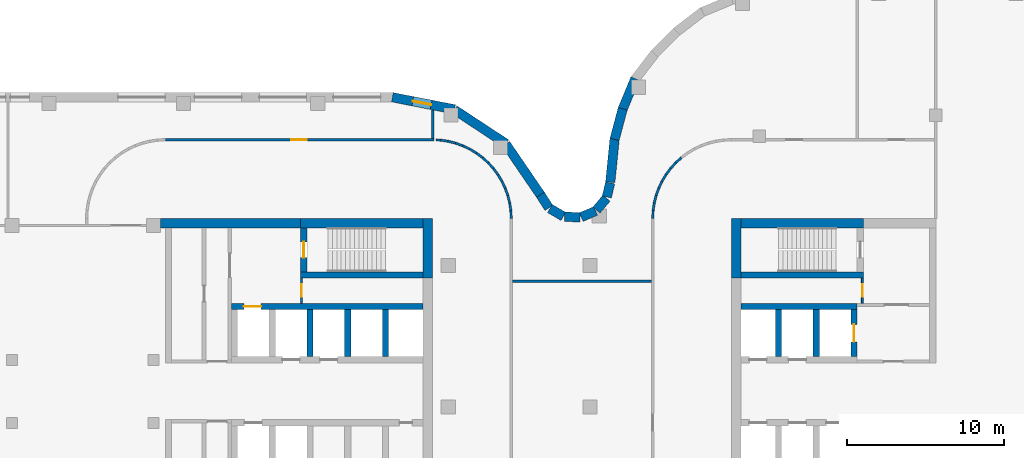
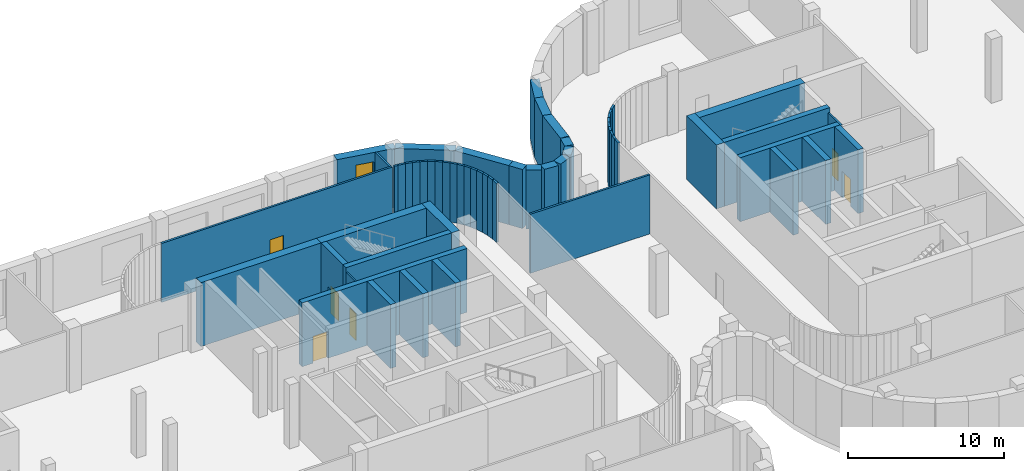
# One storey, part 12 of 18: 58 walls, 6 doors, 1 window, 7 openings.
"""IFC4 building model written with IfcOpenShell, lengths in metres."""

from ifc_helpers import new_model, si_unit, direction, frame, frame_2d, origin, place, context, subcontext, project, spatial, rectangle, extrude, material, layer, layer_set, type_object, element, fill, save


model = new_model("IFC4")

# Units and contexts
model_context = context("Model", 3, precision=1e-05, world=origin(), true_north=direction((0.0, 1.0)))
body_context = subcontext(model_context, "Body", "Model", "MODEL_VIEW")
ifc_project = project(units=[si_unit("LENGTHUNIT", "METRE"), si_unit("AREAUNIT", "SQUARE_METRE"), si_unit("VOLUMEUNIT", "CUBIC_METRE"), si_unit("PLANEANGLEUNIT", "RADIAN"), si_unit("MASSUNIT", "GRAM", prefix="KILO")], contexts=[model_context])

# Site, building, storey
site_placement = place(None, origin())
site = spatial("IfcSite", under=ifc_project, at=site_placement, CompositionType="ELEMENT")
building_placement = place(site_placement, origin())
building = spatial("IfcBuilding", under=site, at=building_placement, Name="Skarvind Civic Tower", CompositionType="ELEMENT")
storey_placement = place(building_placement, frame((0.0, 0.0, 22.5)))
storey = spatial("IfcBuildingStorey", under=building, at=storey_placement, Name="L04", CompositionType="ELEMENT", Elevation=22.5)

# Wall
ifc_material_1 = material(Name="Concrete C80", Category="concrete")
ifc_layer_1 = layer(ifc_material_1, 0.39990234375)
ifc_layer_set_1 = layer_set([ifc_layer_1], Name="Core wall 400 C80")
wall_type_1 = type_object("IfcWallType", Name="Core wall 400 C80", PredefinedType="SHEAR", material=ifc_layer_set_1)
wall_1_placement = place(storey_placement, frame((107.39990234375, 135.39990234375, 0.0), z_axis=(0.0, 0.0, 1.0), x_axis=(-1.0, 0.0, 0.0)))
element("IfcWall", 1, at=wall_1_placement, inside=storey, type_object=wall_type_1, Name="Core wall C1 south stair inner L04", PredefinedType="SHEAR", context=body_context, shape_type="SweptSolid", body=[
    extrude(rectangle(XDim=7.7998046875, YDim=0.39990234375, at=frame_2d((3.89990234375, 0.0))), origin(), (0.0, 0.0, 1.0), 5.0),
])

# Wall, opening, door
wall_2_placement = place(storey_placement, frame((99.800048828125, 138.39990234375, 0.0), z_axis=(0.0, 0.0, 1.0), x_axis=(0.0, -1.0, 0.0)))
wall_2 = element("IfcWall", 2, at=wall_2_placement, inside=storey, type_object=wall_type_1, Name="Core wall C1 south stair end L04", PredefinedType="SHEAR", context=body_context, shape_type="SweptSolid", body=[
    extrude(rectangle(XDim=2.7998046875, YDim=0.39990234375, at=frame_2d((1.39990234375, 0.0))), origin(), (0.0, 0.0, 1.0), 5.0),
])
opening_1_placement = place(wall_2_placement, frame((0.89990234375, 0.0, 0.0)))
opening_1 = element("IfcOpeningElement", 3, at=opening_1_placement, cuts=wall_2, Name="Opening D-L04-C1-13", PredefinedType="OPENING", context=body_context, shape_type="SweptSolid", body=[
    extrude(rectangle(XDim=1.0, YDim=2.10009765625, at=frame_2d((0.5, 1.050048828125))), frame((0.0, 0.2099609375, 0.0), z_axis=(0.0, -1.0, 0.0), x_axis=(1.0, 0.0, 0.0)), (0.0, 0.0, 1.0), 0.419921875),
])
ifc_material_2 = material(Name="Fire-rated steel door", Category="steel")
door_type_1 = type_object("IfcDoorType", Name="Fire door 1000", OperationType="NOTDEFINED", PredefinedType="DOOR", material=ifc_material_2)
door_1_placement = place(opening_1_placement, origin())
door_1 = element("IfcDoor", 4, at=door_1_placement, inside=storey, type_object=door_type_1, Name="Fire door", OperationType="SINGLE_SWING_RIGHT", OverallHeight=2.10009765625, OverallWidth=1.0, PredefinedType="DOOR", context=body_context, shape_type="SweptSolid", body=[
    extrude(rectangle(XDim=1.0, YDim=2.10009765625, at=frame_2d((0.5, 1.050048828125))), frame((0.0, 0.02490234375, 0.0), z_axis=(0.0, -1.0, 0.0), x_axis=(1.0, 0.0, 0.0)), (0.0, 0.0, 1.0), 0.050048828125),
])
fill(opening_1, door_1)

wall_3_placement = place(storey_placement, frame((107.39990234375, 133.39990234375, 0.0), z_axis=(0.0, 0.0, 1.0), x_axis=(-1.0, 0.0, 0.0)))
wall_3 = element("IfcWall", 5, at=wall_3_placement, inside=storey, type_object=wall_type_1, Name="Core wall C1 south lift row back L04", PredefinedType="SHEAR", context=body_context, shape_type="SweptSolid", body=[
    extrude(rectangle(XDim=12.199951171875, YDim=0.39990234375, at=frame_2d((6.10009765625, 0.0))), origin(), (0.0, 0.0, 1.0), 5.0),
])
opening_2_placement = place(wall_3_placement, frame((10.300048828125, 0.0, 0.0)))
opening_2 = element("IfcOpeningElement", 6, at=opening_2_placement, cuts=wall_3, Name="Opening LD06110", PredefinedType="OPENING", context=body_context, shape_type="SweptSolid", body=[
    extrude(rectangle(XDim=1.10009765625, YDim=2.10009765625, at=frame_2d((0.550048828125, 1.050048828125))), frame((0.0, 0.2099609375, 0.0), z_axis=(0.0, -1.0, 0.0), x_axis=(1.0, 0.0, 0.0)), (0.0, 0.0, 1.0), 0.419921875),
])
ifc_material_3 = material(Name="Stainless steel landing door", Category="steel")
door_type_2 = type_object("IfcDoorType", Name="Lift landing door 1100", OperationType="DOUBLE_DOOR_SLIDING", PredefinedType="DOOR", material=ifc_material_3)
door_2_placement = place(opening_2_placement, origin())
door_2 = element("IfcDoor", 7, at=door_2_placement, inside=storey, type_object=door_type_2, Name="Lift landing door", OperationType="DOUBLE_DOOR_SLIDING", OverallHeight=2.10009765625, OverallWidth=1.10009765625, PredefinedType="DOOR", context=body_context, shape_type="SweptSolid", body=[
    extrude(rectangle(XDim=1.10009765625, YDim=2.10009765625, at=frame_2d((0.550048828125, 1.050048828125))), frame((0.0, 0.02490234375, 0.0), z_axis=(0.0, -1.0, 0.0), x_axis=(1.0, 0.0, 0.0)), (0.0, 0.0, 1.0), 0.050048828125),
])
fill(opening_2, door_2)

# Walls
for number, where, z_axis, x_axis, name in (
    (8, (105.0, 133.199951171875, 0.0), (0.0, 0.0, 1.0), (0.0, -1.0, 0.0), "Core wall C1 south lift row division 1 L04"),
    (9, (102.60009765625, 133.199951171875, 0.0), (0.0, 0.0, 1.0), (0.0, -1.0, 0.0), "Core wall C1 south lift row division 2 L04"),
    (10, (100.199951171875, 133.199951171875, 0.0), (0.0, 0.0, 1.0), (0.0, -1.0, 0.0), "Core wall C1 south lift row division 3 L04"),
):
    element("IfcWall", number, at=place(storey_placement, frame(where, z_axis=z_axis, x_axis=x_axis)), inside=storey, type_object=wall_type_1, Name=name, PredefinedType="SHEAR", context=body_context, shape_type="SweptSolid", body=[
        extrude(rectangle(XDim=3.0, YDim=0.39990234375, at=frame_2d((1.5, 0.0))), origin(), (0.0, 0.0, 1.0), 5.0),
    ])
wall_4_placement = place(storey_placement, frame((127.60009765625, 135.39990234375, 0.0), z_axis=(0.0, 0.0, 1.0), x_axis=(1.0, 0.0, 0.0)))
element("IfcWall", 11, at=wall_4_placement, inside=storey, type_object=wall_type_1, Name="Core wall CA north stair inner L04", PredefinedType="SHEAR", context=body_context, shape_type="SweptSolid", body=[
    extrude(rectangle(XDim=7.7998046875, YDim=0.39990234375, at=frame_2d((3.89990234375, 0.0))), origin(), (0.0, 0.0, 1.0), 5.0),
])
wall_5_placement = place(storey_placement, frame((127.60009765625, 133.39990234375, 0.0), z_axis=(0.0, 0.0, 1.0), x_axis=(1.0, 0.0, 0.0)))
element("IfcWall", 12, at=wall_5_placement, inside=storey, type_object=wall_type_1, Name="Core wall CA north lift row back L04", PredefinedType="SHEAR", context=body_context, shape_type="SweptSolid", body=[
    extrude(rectangle(XDim=7.39990234375, YDim=0.39990234375, at=frame_2d((3.699951171875, 0.0))), origin(), (0.0, 0.0, 1.0), 5.0),
])
for number, where, z_axis, x_axis, name in (
    (13, (130.0, 130.199951171875, 0.0), (0.0, 0.0, 1.0), (0.0, 1.0, 0.0), "Core wall CA north lift row division 1 L04"),
    (14, (132.39990234375, 130.199951171875, 0.0), (0.0, 0.0, 1.0), (0.0, 1.0, 0.0), "Core wall CA north lift row division 2 L04"),
):
    element("IfcWall", number, at=place(storey_placement, frame(where, z_axis=z_axis, x_axis=x_axis)), inside=storey, type_object=wall_type_1, Name=name, PredefinedType="SHEAR", context=body_context, shape_type="SweptSolid", body=[
        extrude(rectangle(XDim=3.0, YDim=0.39990234375, at=frame_2d((1.5, 0.0))), origin(), (0.0, 0.0, 1.0), 5.0),
    ])

# Wall, opening, door
wall_6_placement = place(storey_placement, frame((134.800048828125, 130.199951171875, 0.0), z_axis=(0.0, 0.0, 1.0), x_axis=(0.0, 1.0, 0.0)))
wall_6 = element("IfcWall", 15, at=wall_6_placement, inside=storey, type_object=wall_type_1, Name="Core wall CA north lift row division 3 L04", PredefinedType="SHEAR", context=body_context, shape_type="SweptSolid", body=[
    extrude(rectangle(XDim=3.0, YDim=0.39990234375, at=frame_2d((1.5, 0.0))), origin(), (0.0, 0.0, 1.0), 5.0),
])
opening_3_placement = place(wall_6_placement, frame((0.949951171875, 0.0, 0.0)))
opening_3 = element("IfcOpeningElement", 16, at=opening_3_placement, cuts=wall_6, Name="Opening LD06303", PredefinedType="OPENING", context=body_context, shape_type="SweptSolid", body=[
    extrude(rectangle(XDim=1.10009765625, YDim=2.10009765625, at=frame_2d((0.550048828125, 1.050048828125))), frame((0.0, 0.2099609375, 0.0), z_axis=(0.0, -1.0, 0.0), x_axis=(1.0, 0.0, 0.0)), (0.0, 0.0, 1.0), 0.419921875),
])
door_3_placement = place(opening_3_placement, origin())
door_3 = element("IfcDoor", 17, at=door_3_placement, inside=storey, type_object=door_type_2, Name="Lift landing door", OperationType="DOUBLE_DOOR_SLIDING", OverallHeight=2.10009765625, OverallWidth=1.10009765625, PredefinedType="DOOR", context=body_context, shape_type="SweptSolid", body=[
    extrude(rectangle(XDim=1.10009765625, YDim=2.10009765625, at=frame_2d((0.550048828125, 1.050048828125))), frame((0.0, 0.02490234375, 0.0), z_axis=(0.0, -1.0, 0.0), x_axis=(1.0, 0.0, 0.0)), (0.0, 0.0, 1.0), 0.050048828125),
])
fill(opening_3, door_3)

# Walls
ifc_layer_2 = layer(ifc_material_1, 0.60009765625)
ifc_layer_set_2 = layer_set([ifc_layer_2], Name="Core wall 600 C80")
wall_type_2 = type_object("IfcWallType", Name="Core wall 600 C80", PredefinedType="SHEAR", material=ifc_layer_set_2)
wall_7_placement = place(storey_placement, frame((107.699951171875, 139.0, 0.0), z_axis=(0.0, 0.0, 1.0), x_axis=(0.0, -1.0, 0.0)))
element("IfcWall", 18, at=wall_7_placement, inside=storey, type_object=wall_type_2, Name="Core wall C1 tip at the south stair L04", PredefinedType="SHEAR", context=body_context, shape_type="SweptSolid", body=[
    extrude(rectangle(XDim=3.800048828125, YDim=0.60009765625, at=frame_2d((1.89990234375, 0.0))), origin(), (0.0, 0.0, 1.0), 5.0),
])
wall_8_placement = place(storey_placement, frame((107.39990234375, 138.699951171875, 0.0), z_axis=(0.0, 0.0, 1.0), x_axis=(-1.0, 0.0, 0.0)))
element("IfcWall", 19, at=wall_8_placement, inside=storey, type_object=wall_type_2, Name="Core wall C1 south side at the stair L04", PredefinedType="SHEAR", context=body_context, shape_type="SweptSolid", body=[
    extrude(rectangle(XDim=7.7998046875, YDim=0.60009765625, at=frame_2d((3.89990234375, 0.0))), origin(), (0.0, 0.0, 1.0), 5.0),
])
wall_9_placement = place(storey_placement, frame((99.60009765625, 138.699951171875, 0.0), z_axis=(0.0, 0.0, 1.0), x_axis=(-1.0, 0.0, 0.0)))
element("IfcWall", 20, at=wall_9_placement, inside=storey, type_object=wall_type_2, Name="Core wall C1 south side L04", PredefinedType="SHEAR", context=body_context, shape_type="SweptSolid", body=[
    extrude(rectangle(XDim=8.900146484375, YDim=0.60009765625, at=frame_2d((4.4501953125, 0.0))), origin(), (0.0, 0.0, 1.0), 5.0),
])
wall_10_placement = place(storey_placement, frame((127.300048828125, 135.199951171875, 0.0), z_axis=(0.0, 0.0, 1.0), x_axis=(0.0, 1.0, 0.0)))
element("IfcWall", 21, at=wall_10_placement, inside=storey, type_object=wall_type_2, Name="Core wall CA tip at the north stair L04", PredefinedType="SHEAR", context=body_context, shape_type="SweptSolid", body=[
    extrude(rectangle(XDim=3.800048828125, YDim=0.60009765625, at=frame_2d((1.89990234375, 0.0))), origin(), (0.0, 0.0, 1.0), 5.0),
])
wall_11_placement = place(storey_placement, frame((127.60009765625, 138.699951171875, 0.0), z_axis=(0.0, 0.0, 1.0), x_axis=(1.0, 0.0, 0.0)))
element("IfcWall", 22, at=wall_11_placement, inside=storey, type_object=wall_type_2, Name="Core wall CA north side at the stair L04", PredefinedType="SHEAR", context=body_context, shape_type="SweptSolid", body=[
    extrude(rectangle(XDim=7.7998046875, YDim=0.60009765625, at=frame_2d((3.89990234375, 0.0))), origin(), (0.0, 0.0, 1.0), 5.0),
])

# Wall, opening, door
ifc_material_4 = material(Name="Plasterboard partition on steel studs", Category="steel")
ifc_layer_3 = layer(ifc_material_4, 0.14990234375)
ifc_layer_set_3 = layer_set([ifc_layer_3], Name="PARTITION 150")
wall_type_3 = type_object("IfcWallType", Name="PARTITION 150", PredefinedType="PARTITIONING", material=ifc_layer_set_3)
wall_12_placement = place(storey_placement, frame((90.998046875, 144.0, 0.0), z_axis=(0.0, 0.0, 1.0), x_axis=(1.0, 0.0, 0.0)))
wall_12 = element("IfcWall", 23, at=wall_12_placement, inside=storey, type_object=wall_type_3, Name="Podium partition L04 165", PredefinedType="PARTITIONING", context=body_context, shape_type="SweptSolid", body=[
    extrude(rectangle(XDim=17.076904296875, YDim=0.14990234375, at=frame_2d((8.53857421875, 0.0))), origin(), (0.0, 0.0, 1.0), 4.625),
])
opening_4_placement = place(wall_12_placement, frame((8.001953125, 0.0, 0.0)))
opening_4 = element("IfcOpeningElement", 24, at=opening_4_placement, cuts=wall_12, Name="Opening L04-D219", PredefinedType="OPENING", context=body_context, shape_type="SweptSolid", body=[
    extrude(rectangle(XDim=1.0, YDim=2.10009765625, at=frame_2d((0.5, 1.050048828125))), frame((0.0, 0.0849609375, 0.0), z_axis=(0.0, -1.0, 0.0), x_axis=(1.0, 0.0, 0.0)), (0.0, 0.0, 1.0), 0.169921875),
])
ifc_material_5 = material(Name="Timber veneer door leaf", Category="wood")
door_type_3 = type_object("IfcDoorType", Name="DOOR 1000X2100 TIMBER", OperationType="NOTDEFINED", PredefinedType="DOOR", material=ifc_material_5)
door_4_placement = place(opening_4_placement, origin())
door_4 = element("IfcDoor", 25, at=door_4_placement, inside=storey, type_object=door_type_3, Name="DOOR DOOR", OperationType="SINGLE_SWING_RIGHT", OverallHeight=2.10009765625, OverallWidth=1.0, PredefinedType="DOOR", context=body_context, shape_type="SweptSolid", body=[
    extrude(rectangle(XDim=1.0, YDim=2.10009765625, at=frame_2d((0.5, 1.050048828125))), frame((0.0, 0.02490234375, 0.0), z_axis=(0.0, -1.0, 0.0), x_axis=(1.0, 0.0, 0.0)), (0.0, 0.0, 1.0), 0.050048828125),
])
fill(opening_4, door_4)

# Walls
wall_13_placement = place(storey_placement, frame((108.0, 144.074951171875, 0.0), z_axis=(0.0, 0.0, 1.0), x_axis=(0.0, 1.0, 0.0)))
element("IfcWall", 26, at=wall_13_placement, inside=storey, type_object=wall_type_3, Name="Podium partition L04 168", PredefinedType="PARTITIONING", context=body_context, shape_type="SweptSolid", body=[
    extrude(rectangle(XDim=1.822998046875, YDim=0.14990234375, at=frame_2d((0.91162109375, 0.0))), origin(), (0.0, 0.0, 1.0), 4.625),
])
wall_14_placement = place(storey_placement, frame((108.214111328125, 143.989990234375, 0.0), z_axis=(0.0, 0.0, 1.0), x_axis=(0.99876534507, -0.049676810357, 0.0)))
element("IfcWall", 27, at=wall_14_placement, inside=storey, type_object=wall_type_3, Name="Podium partition L04 169", PredefinedType="PARTITIONING", context=body_context, shape_type="SweptSolid", body=[
    extrude(rectangle(XDim=0.280029296875, YDim=0.14990234375, at=frame_2d((0.14013671875, 0.0))), origin(), (0.0, 0.0, 1.0), 4.625),
])
wall_15_placement = place(storey_placement, frame((108.486083984375, 143.97705078125, 0.0), z_axis=(0.0, 0.0, 1.0), x_axis=(0.988925572052, -0.148412307247, 0.0)))
element("IfcWall", 28, at=wall_15_placement, inside=storey, type_object=wall_type_3, Name="Podium partition L04 171", PredefinedType="PARTITIONING", context=body_context, shape_type="SweptSolid", body=[
    extrude(rectangle(XDim=0.49853515625, YDim=0.14990234375, at=frame_2d((0.249267578125, 0.0))), origin(), (0.0, 0.0, 1.0), 4.625),
])
wall_16_placement = place(storey_placement, frame((108.970947265625, 143.905029296875, 0.0), z_axis=(0.0, 0.0, 1.0), x_axis=(0.970113715952, -0.242650732785, 0.0)))
element("IfcWall", 29, at=wall_16_placement, inside=storey, type_object=wall_type_3, Name="Podium partition L04 173", PredefinedType="PARTITIONING", context=body_context, shape_type="SweptSolid", body=[
    extrude(rectangle(XDim=0.4990234375, YDim=0.14990234375, at=frame_2d((0.24951171875, 0.0))), origin(), (0.0, 0.0, 1.0), 4.625),
])
for number, where, z_axis, x_axis, name in (
    (30, (109.447021484375, 143.785888671875, 0.0), (0.0, 0.0, 1.0), (0.941442168887, -0.3371744988, 0.0), "Podium partition L04 175"),
    (31, (109.909912109375, 143.62109375, 0.0), (0.0, 0.0, 1.0), (0.903827641978, -0.427896709028, 0.0), "Podium partition L04 177"),
):
    element("IfcWall", number, at=place(storey_placement, frame(where, z_axis=z_axis, x_axis=x_axis)), inside=storey, type_object=wall_type_3, Name=name, PredefinedType="PARTITIONING", context=body_context, shape_type="SweptSolid", body=[
        extrude(rectangle(XDim=0.498046875, YDim=0.14990234375, at=frame_2d((0.2490234375, 0.0))), origin(), (0.0, 0.0, 1.0), 4.625),
    ])
wall_17_placement = place(storey_placement, frame((110.35400390625, 143.412109375, 0.0), z_axis=(0.0, 0.0, 1.0), x_axis=(0.85671397893, -0.515791778052, 0.0)))
element("IfcWall", 32, at=wall_17_placement, inside=storey, type_object=wall_type_3, Name="Podium partition L04 179", PredefinedType="PARTITIONING", context=body_context, shape_type="SweptSolid", body=[
    extrude(rectangle(XDim=0.49853515625, YDim=0.14990234375, at=frame_2d((0.249267578125, 0.0))), origin(), (0.0, 0.0, 1.0), 4.625),
])
wall_18_placement = place(storey_placement, frame((110.77490234375, 143.158935546875, 0.0), z_axis=(0.0, 0.0, 1.0), x_axis=(0.80404358372, -0.594570362092, 0.0)))
element("IfcWall", 33, at=wall_18_placement, inside=storey, type_object=wall_type_3, Name="Podium partition L04 181", PredefinedType="PARTITIONING", context=body_context, shape_type="SweptSolid", body=[
    extrude(rectangle(XDim=0.49755859375, YDim=0.14990234375, at=frame_2d((0.248779296875, 0.0))), origin(), (0.0, 0.0, 1.0), 4.625),
])
for number, where, z_axis, x_axis, name in (
    (34, (111.1689453125, 142.866943359375, 0.0), (0.0, 0.0, 1.0), (0.742416880587, -0.66993818776, 0.0), "Podium partition L04 183"),
    (35, (111.532958984375, 142.5390625, 0.0), (0.0, 0.0, 1.0), (0.66993818776, -0.742416880587, 0.0), "Podium partition L04 185"),
):
    element("IfcWall", number, at=place(storey_placement, frame(where, z_axis=z_axis, x_axis=x_axis)), inside=storey, type_object=wall_type_3, Name=name, PredefinedType="PARTITIONING", context=body_context, shape_type="SweptSolid", body=[
        extrude(rectangle(XDim=0.49853515625, YDim=0.14990234375, at=frame_2d((0.249267578125, 0.0))), origin(), (0.0, 0.0, 1.0), 4.625),
    ])
wall_19_placement = place(storey_placement, frame((111.863037109375, 142.175048828125, 0.0), z_axis=(0.0, 0.0, 1.0), x_axis=(0.594570362092, -0.80404358372, 0.0)))
element("IfcWall", 36, at=wall_19_placement, inside=storey, type_object=wall_type_3, Name="Podium partition L04 187", PredefinedType="PARTITIONING", context=body_context, shape_type="SweptSolid", body=[
    extrude(rectangle(XDim=0.49755859375, YDim=0.14990234375, at=frame_2d((0.248779296875, 0.0))), origin(), (0.0, 0.0, 1.0), 4.625),
])
wall_20_placement = place(storey_placement, frame((112.155029296875, 141.781005859375, 0.0), z_axis=(0.0, 0.0, 1.0), x_axis=(0.515791778052, -0.85671397893, 0.0)))
element("IfcWall", 37, at=wall_20_placement, inside=storey, type_object=wall_type_3, Name="Podium partition L04 189", PredefinedType="PARTITIONING", context=body_context, shape_type="SweptSolid", body=[
    extrude(rectangle(XDim=0.49853515625, YDim=0.14990234375, at=frame_2d((0.249267578125, 0.0))), origin(), (0.0, 0.0, 1.0), 4.625),
])
for number, where, z_axis, x_axis, name in (
    (38, (112.407958984375, 141.360107421875, 0.0), (0.0, 0.0, 1.0), (0.427896709028, -0.903827641978, 0.0), "Podium partition L04 191"),
    (39, (112.617919921875, 140.916015625, 0.0), (0.0, 0.0, 1.0), (0.3371744988, -0.941442168887, 0.0), "Podium partition L04 193"),
):
    element("IfcWall", number, at=place(storey_placement, frame(where, z_axis=z_axis, x_axis=x_axis)), inside=storey, type_object=wall_type_3, Name=name, PredefinedType="PARTITIONING", context=body_context, shape_type="SweptSolid", body=[
        extrude(rectangle(XDim=0.498046875, YDim=0.14990234375, at=frame_2d((0.2490234375, 0.0))), origin(), (0.0, 0.0, 1.0), 4.625),
    ])
wall_21_placement = place(storey_placement, frame((112.783935546875, 140.455078125, 0.0), z_axis=(0.0, 0.0, 1.0), x_axis=(0.242650732785, -0.970113715952, 0.0)))
element("IfcWall", 40, at=wall_21_placement, inside=storey, type_object=wall_type_3, Name="Podium partition L04 195", PredefinedType="PARTITIONING", context=body_context, shape_type="SweptSolid", body=[
    extrude(rectangle(XDim=0.4990234375, YDim=0.14990234375, at=frame_2d((0.24951171875, 0.0))), origin(), (0.0, 0.0, 1.0), 4.625),
])
wall_22_placement = place(storey_placement, frame((112.903076171875, 139.97900390625, 0.0), z_axis=(0.0, 0.0, 1.0), x_axis=(0.148412307247, -0.988925572052, 0.0)))
element("IfcWall", 41, at=wall_22_placement, inside=storey, type_object=wall_type_3, Name="Podium partition L04 197", PredefinedType="PARTITIONING", context=body_context, shape_type="SweptSolid", body=[
    extrude(rectangle(XDim=0.49853515625, YDim=0.14990234375, at=frame_2d((0.249267578125, 0.0))), origin(), (0.0, 0.0, 1.0), 4.625),
])
wall_23_placement = place(storey_placement, frame((112.97607421875, 139.493896484375, 0.0), z_axis=(0.0, 0.0, 1.0), x_axis=(0.048196018647, -0.998837896651, 0.0)))
element("IfcWall", 42, at=wall_23_placement, inside=storey, type_object=wall_type_3, Name="Podium partition L04 199", PredefinedType="PARTITIONING", context=body_context, shape_type="SweptSolid", body=[
    extrude(rectangle(XDim=0.496337890625, YDim=0.14990234375, at=frame_2d((0.248046875, 0.0))), origin(), (0.0, 0.0, 1.0), 4.625),
])
wall_24_placement = place(storey_placement, frame((113.074951171875, 135.0, 0.0), z_axis=(0.0, 0.0, 1.0), x_axis=(1.0, 0.0, 0.0)))
element("IfcWall", 43, at=wall_24_placement, inside=storey, type_object=wall_type_3, Name="Podium partition L04 201", PredefinedType="PARTITIONING", context=body_context, shape_type="SweptSolid", body=[
    extrude(rectangle(XDim=8.85009765625, YDim=0.14990234375, at=frame_2d((4.425048828125, 0.0))), origin(), (0.0, 0.0, 1.0), 4.625),
])
wall_25_placement = place(storey_placement, frame((122.0, 138.998046875, 0.0), z_axis=(0.0, 0.0, 1.0), x_axis=(0.048196018647, 0.998837896651, 0.0)))
element("IfcWall", 44, at=wall_25_placement, inside=storey, type_object=wall_type_3, Name="Podium partition L04 205", PredefinedType="PARTITIONING", context=body_context, shape_type="SweptSolid", body=[
    extrude(rectangle(XDim=0.496337890625, YDim=0.14990234375, at=frame_2d((0.248046875, 0.0))), origin(), (0.0, 0.0, 1.0), 4.625),
])
wall_26_placement = place(storey_placement, frame((122.02294921875, 139.486083984375, 0.0), z_axis=(0.0, 0.0, 1.0), x_axis=(0.148412307247, 0.988925572052, 0.0)))
element("IfcWall", 45, at=wall_26_placement, inside=storey, type_object=wall_type_3, Name="Podium partition L04 207", PredefinedType="PARTITIONING", context=body_context, shape_type="SweptSolid", body=[
    extrude(rectangle(XDim=0.49853515625, YDim=0.14990234375, at=frame_2d((0.249267578125, 0.0))), origin(), (0.0, 0.0, 1.0), 4.625),
])
wall_27_placement = place(storey_placement, frame((122.094970703125, 139.970947265625, 0.0), z_axis=(0.0, 0.0, 1.0), x_axis=(0.242650732785, 0.970113715952, 0.0)))
element("IfcWall", 46, at=wall_27_placement, inside=storey, type_object=wall_type_3, Name="Podium partition L04 209", PredefinedType="PARTITIONING", context=body_context, shape_type="SweptSolid", body=[
    extrude(rectangle(XDim=0.4990234375, YDim=0.14990234375, at=frame_2d((0.24951171875, 0.0))), origin(), (0.0, 0.0, 1.0), 4.625),
])
for number, where, z_axis, x_axis, name in (
    (47, (122.214111328125, 140.447021484375, 0.0), (0.0, 0.0, 1.0), (0.3371744988, 0.941442168887, 0.0), "Podium partition L04 211"),
    (48, (122.37890625, 140.909912109375, 0.0), (0.0, 0.0, 1.0), (0.427896709028, 0.903827641978, 0.0), "Podium partition L04 213"),
):
    element("IfcWall", number, at=place(storey_placement, frame(where, z_axis=z_axis, x_axis=x_axis)), inside=storey, type_object=wall_type_3, Name=name, PredefinedType="PARTITIONING", context=body_context, shape_type="SweptSolid", body=[
        extrude(rectangle(XDim=0.498046875, YDim=0.14990234375, at=frame_2d((0.2490234375, 0.0))), origin(), (0.0, 0.0, 1.0), 4.625),
    ])
wall_28_placement = place(storey_placement, frame((122.587890625, 141.35400390625, 0.0), z_axis=(0.0, 0.0, 1.0), x_axis=(0.515791778052, 0.85671397893, 0.0)))
element("IfcWall", 49, at=wall_28_placement, inside=storey, type_object=wall_type_3, Name="Podium partition L04 215", PredefinedType="PARTITIONING", context=body_context, shape_type="SweptSolid", body=[
    extrude(rectangle(XDim=0.49853515625, YDim=0.14990234375, at=frame_2d((0.249267578125, 0.0))), origin(), (0.0, 0.0, 1.0), 4.625),
])
wall_29_placement = place(storey_placement, frame((122.841064453125, 141.77490234375, 0.0), z_axis=(0.0, 0.0, 1.0), x_axis=(0.594570362092, 0.80404358372, 0.0)))
element("IfcWall", 50, at=wall_29_placement, inside=storey, type_object=wall_type_3, Name="Podium partition L04 217", PredefinedType="PARTITIONING", context=body_context, shape_type="SweptSolid", body=[
    extrude(rectangle(XDim=0.49755859375, YDim=0.14990234375, at=frame_2d((0.248779296875, 0.0))), origin(), (0.0, 0.0, 1.0), 4.625),
])
for number, where, z_axis, x_axis, name in (
    (51, (123.133056640625, 142.1689453125, 0.0), (0.0, 0.0, 1.0), (0.66993818776, 0.742416880587, 0.0), "Podium partition L04 219"),
    (52, (123.4609375, 142.532958984375, 0.0), (0.0, 0.0, 1.0), (0.742416880587, 0.66993818776, 0.0), "Podium partition L04 221"),
):
    element("IfcWall", number, at=place(storey_placement, frame(where, z_axis=z_axis, x_axis=x_axis)), inside=storey, type_object=wall_type_3, Name=name, PredefinedType="PARTITIONING", context=body_context, shape_type="SweptSolid", body=[
        extrude(rectangle(XDim=0.49853515625, YDim=0.14990234375, at=frame_2d((0.249267578125, 0.0))), origin(), (0.0, 0.0, 1.0), 4.625),
    ])

# Wall, opening, door
ifc_material_6 = material(Name="Fire-rated masonry partition", Category="masonry")
ifc_layer_4 = layer(ifc_material_6, 0.125)
ifc_layer_set_4 = layer_set([ifc_layer_4], Name="Riser wall 125")
wall_type_4 = type_object("IfcWallType", Name="Riser wall 125", PredefinedType="PARTITIONING", material=ifc_layer_set_4)
wall_30_placement = place(storey_placement, frame((99.66259765625, 133.60009765625, 0.0), z_axis=(0.0, 0.0, 1.0), x_axis=(0.0, 1.0, 0.0)))
wall_30 = element("IfcWall", 53, at=wall_30_placement, inside=storey, type_object=wall_type_4, Name="Core wall C1", PredefinedType="PARTITIONING", context=body_context, shape_type="SweptSolid", body=[
    extrude(rectangle(XDim=1.599853515625, YDim=0.125, at=frame_2d((0.7998046875, 0.0))), origin(), (0.0, 0.0, 1.0), 4.625),
])
opening_5_placement = place(wall_30_placement, frame((0.39990234375, 0.0, 0.0)))
opening_5 = element("IfcOpeningElement", 54, at=opening_5_placement, cuts=wall_30, Name="Opening D-L04-C1-14", PredefinedType="OPENING", context=body_context, shape_type="SweptSolid", body=[
    extrude(rectangle(XDim=0.800048828125, YDim=2.10009765625, at=frame_2d((0.39990234375, 1.050048828125))), frame((0.0, 0.072509765625, 0.0), z_axis=(0.0, -1.0, 0.0), x_axis=(1.0, 0.0, 0.0)), (0.0, 0.0, 1.0), 0.14501953125),
])
door_type_4 = type_object("IfcDoorType", Name="Core riser door 800", OperationType="NOTDEFINED", PredefinedType="DOOR", material=ifc_material_2)
door_5_placement = place(opening_5_placement, origin())
door_5 = element("IfcDoor", 55, at=door_5_placement, inside=storey, type_object=door_type_4, Name="Riser door", OperationType="SINGLE_SWING_LEFT", OverallHeight=2.10009765625, OverallWidth=0.800048828125, PredefinedType="DOOR", context=body_context, shape_type="SweptSolid", body=[
    extrude(rectangle(XDim=0.800048828125, YDim=2.10009765625, at=frame_2d((0.39990234375, 1.050048828125))), frame((0.0, 0.02490234375, 0.0), z_axis=(0.0, -1.0, 0.0), x_axis=(1.0, 0.0, 0.0)), (0.0, 0.0, 1.0), 0.050048828125),
])
fill(opening_5, door_5)

wall_31_placement = place(storey_placement, frame((135.33740234375, 135.199951171875, 0.0), z_axis=(0.0, 0.0, 1.0), x_axis=(0.0, -1.0, 0.0)))
wall_31 = element("IfcWall", 56, at=wall_31_placement, inside=storey, type_object=wall_type_4, Name="Core wall CA", PredefinedType="PARTITIONING", context=body_context, shape_type="SweptSolid", body=[
    extrude(rectangle(XDim=1.599853515625, YDim=0.125, at=frame_2d((0.7998046875, 0.0))), origin(), (0.0, 0.0, 1.0), 4.625),
])
opening_6_placement = place(wall_31_placement, frame((0.39990234375, 0.0, 0.0)))
opening_6 = element("IfcOpeningElement", 57, at=opening_6_placement, cuts=wall_31, Name="Opening D-L04-CA-09", PredefinedType="OPENING", context=body_context, shape_type="SweptSolid", body=[
    extrude(rectangle(XDim=0.800048828125, YDim=2.10009765625, at=frame_2d((0.39990234375, 1.050048828125))), frame((0.0, 0.072509765625, 0.0), z_axis=(0.0, -1.0, 0.0), x_axis=(1.0, 0.0, 0.0)), (0.0, 0.0, 1.0), 0.14501953125),
])
door_6_placement = place(opening_6_placement, origin())
door_6 = element("IfcDoor", 58, at=door_6_placement, inside=storey, type_object=door_type_4, Name="Riser door", OperationType="SINGLE_SWING_RIGHT", OverallHeight=2.10009765625, OverallWidth=0.800048828125, PredefinedType="DOOR", context=body_context, shape_type="SweptSolid", body=[
    extrude(rectangle(XDim=0.800048828125, YDim=2.10009765625, at=frame_2d((0.39990234375, 1.050048828125))), frame((0.0, 0.02490234375, 0.0), z_axis=(0.0, -1.0, 0.0), x_axis=(1.0, 0.0, 0.0)), (0.0, 0.0, 1.0), 0.050048828125),
])
fill(opening_6, door_6)

# Walls
ifc_material_7 = material(Name="Limestone masonry cladding on insulated backing", Category="masonry")
ifc_layer_5 = layer(ifc_material_7, 0.60009765625)
ifc_layer_set_5 = layer_set([ifc_layer_5], Name="WX1 STONE FACADE WALL 600")
wall_type_5 = type_object("IfcWallType", Name="WX1 STONE FACADE WALL 600", PredefinedType="SOLIDWALL", material=ifc_layer_set_5)
wall_32_placement = place(storey_placement, frame((120.078857421875, 145.9306640625, 0.0), z_axis=(0.0, 0.0, 1.0), x_axis=(0.382375593358, 0.924006983526, 0.0)))
element("IfcWall", 59, at=wall_32_placement, inside=storey, type_object=wall_type_5, Name="STONE FACADE WALL", PredefinedType="SOLIDWALL", context=body_context, shape_type="SweptSolid", body=[
    extrude(rectangle(XDim=2.114013671875, YDim=0.60009765625, at=frame_2d((1.05712890625, 0.0))), origin(), (0.0, 0.0, 1.0), 4.625),
])
wall_33_placement = place(storey_placement, frame((119.570556640625, 144.023681640625, 0.0), z_axis=(0.0, 0.0, 1.0), x_axis=(0.25888565912, 0.965907974655, 0.0)))
element("IfcWall", 60, at=wall_33_placement, inside=storey, type_object=wall_type_5, Name="STONE FACADE WALL", PredefinedType="SOLIDWALL", context=body_context, shape_type="SweptSolid", body=[
    extrude(rectangle(XDim=2.012451171875, YDim=0.60009765625, at=frame_2d((1.00634765625, 0.0))), origin(), (0.0, 0.0, 1.0), 4.625),
])
wall_34_placement = place(storey_placement, frame((119.298583984375, 141.298095703125, 0.0), z_axis=(0.0, 0.0, 1.0), x_axis=(0.100121632527, 0.994975205068, 0.0)))
element("IfcWall", 61, at=wall_34_placement, inside=storey, type_object=wall_type_5, Name="STONE FACADE WALL", PredefinedType="SOLIDWALL", context=body_context, shape_type="SweptSolid", body=[
    extrude(rectangle(XDim=2.77734375, YDim=0.60009765625, at=frame_2d((1.388671875, 0.0))), origin(), (0.0, 0.0, 1.0), 4.625),
])
wall_35_placement = place(storey_placement, frame((119.077392578125, 140.35791015625, 0.0), z_axis=(0.0, 0.0, 1.0), x_axis=(0.231477954295, 0.972840149601, 0.0)))
element("IfcWall", 62, at=wall_35_placement, inside=storey, type_object=wall_type_5, Name="STONE FACADE WALL", PredefinedType="SOLIDWALL", context=body_context, shape_type="SweptSolid", body=[
    extrude(rectangle(XDim=0.926025390625, YDim=0.60009765625, at=frame_2d((0.462890625, 0.0))), origin(), (0.0, 0.0, 1.0), 4.625),
])
for number, where, z_axis, x_axis, name in (
    (63, (118.41748046875, 139.526123046875, 0.0), (0.0, 0.0, 1.0), (0.644897785416, 0.764268831215, 0.0), "STONE FACADE WALL"),
    (64, (117.45361328125, 139.080810546875, 0.0), (0.0, 0.0, 1.0), (0.920017434001, 0.391877431265, 0.0), "STONE FACADE WALL"),
    (65, (116.392578125, 139.1171875, 0.0), (0.0, 0.0, 1.0), (0.997920735219, -0.064453131965, 0.0), "STONE FACADE WALL"),
    (66, (115.46142578125, 139.62744140625, 0.0), (0.0, 0.0, 1.0), (0.861915314468, -0.507052256365, 0.0), "STONE FACADE WALL"),
):
    element("IfcWall", number, at=place(storey_placement, frame(where, z_axis=z_axis, x_axis=x_axis)), inside=storey, type_object=wall_type_5, Name=name, PredefinedType="SOLIDWALL", context=body_context, shape_type="SweptSolid", body=[
        extrude(rectangle(XDim=0.99609375, YDim=0.60009765625, at=frame_2d((0.498046875, 0.0))), origin(), (0.0, 0.0, 1.0), 4.625),
    ])
wall_36_placement = place(storey_placement, frame((114.860107421875, 140.50244140625, 0.0), z_axis=(0.0, 0.0, 1.0), x_axis=(0.541339592117, -0.84080404733, 0.0)))
element("IfcWall", 67, at=wall_36_placement, inside=storey, type_object=wall_type_5, Name="STONE FACADE WALL", PredefinedType="SOLIDWALL", context=body_context, shape_type="SweptSolid", body=[
    extrude(rectangle(XDim=0.996337890625, YDim=0.60009765625, at=frame_2d((0.498046875, 0.0))), origin(), (0.0, 0.0, 1.0), 4.625),
])
wall_37_placement = place(storey_placement, frame((112.660888671875, 143.7197265625, 0.0), z_axis=(0.0, 0.0, 1.0), x_axis=(0.564314082571, -0.825560183277, 0.0)))
element("IfcWall", 68, at=wall_37_placement, inside=storey, type_object=wall_type_5, Name="STONE FACADE WALL", PredefinedType="SOLIDWALL", context=body_context, shape_type="SweptSolid", body=[
    extrude(rectangle(XDim=3.9052734375, YDim=0.60009765625, at=frame_2d((1.95263671875, 0.0))), origin(), (0.0, 0.0, 1.0), 4.625),
])
wall_38_placement = place(storey_placement, frame((109.4013671875, 145.899658203125, 0.0), z_axis=(0.0, 0.0, 1.0), x_axis=(0.835543958523, -0.549423601037, 0.0)))
element("IfcWall", 69, at=wall_38_placement, inside=storey, type_object=wall_type_5, Name="STONE FACADE WALL", PredefinedType="SOLIDWALL", context=body_context, shape_type="SweptSolid", body=[
    extrude(rectangle(XDim=3.905517578125, YDim=0.60009765625, at=frame_2d((1.95263671875, 0.0))), origin(), (0.0, 0.0, 1.0), 4.625),
])

# Wall, opening, window
wall_39_placement = place(storey_placement, frame((105.4404296875, 146.70166015625, 0.0), z_axis=(0.0, 0.0, 1.0), x_axis=(0.981593603981, -0.190981665674, 0.0)))
wall_39 = element("IfcWall", 70, at=wall_39_placement, inside=storey, type_object=wall_type_5, Name="STONE FACADE WALL", PredefinedType="SOLIDWALL", context=body_context, shape_type="SweptSolid", body=[
    extrude(rectangle(XDim=4.025390625, YDim=0.60009765625, at=frame_2d((2.0126953125, 0.0))), origin(), (0.0, 0.0, 1.0), 4.625),
])
opening_7_placement = place(wall_39_placement, frame((1.31591796875, 0.0, 0.89990234375)))
opening_7 = element("IfcOpeningElement", 71, at=opening_7_placement, cuts=wall_39, Name="Opening WN6", PredefinedType="OPENING", context=body_context, shape_type="SweptSolid", body=[
    extrude(rectangle(XDim=1.199951171875, YDim=3.0, at=frame_2d((0.60009765625, 1.5))), frame((0.0, 0.31005859375, 0.0), z_axis=(0.0, -1.0, 0.0), x_axis=(1.0, 0.0, 0.0)), (0.0, 0.0, 1.0), 0.6201171875),
])
ifc_material_8 = material(Name="Timber frame, double glazing, timber-lined reveal", Category="wood")
window_type = type_object("IfcWindowType", Name="WN6 NARROW PODIUM WINDOW 1200 x 3000", PartitioningType="SINGLE_PANEL", PredefinedType="WINDOW", material=ifc_material_8)
window_placement = place(opening_7_placement, origin())
window = element("IfcWindow", 72, at=window_placement, inside=storey, type_object=window_type, Name="WN6 WINDOW", OverallHeight=3.0, OverallWidth=1.199951171875, PartitioningType="SINGLE_PANEL", PredefinedType="WINDOW", context=body_context, shape_type="SweptSolid", body=[
    extrude(rectangle(XDim=1.199951171875, YDim=3.0, at=frame_2d((0.60009765625, 1.5))), frame((0.0, 0.030029296875, 0.0), z_axis=(0.0, -1.0, 0.0), x_axis=(1.0, 0.0, 0.0)), (0.0, 0.0, 1.0), 0.06005859375),
])
fill(opening_7, window)

save(model, "model.ifc")
